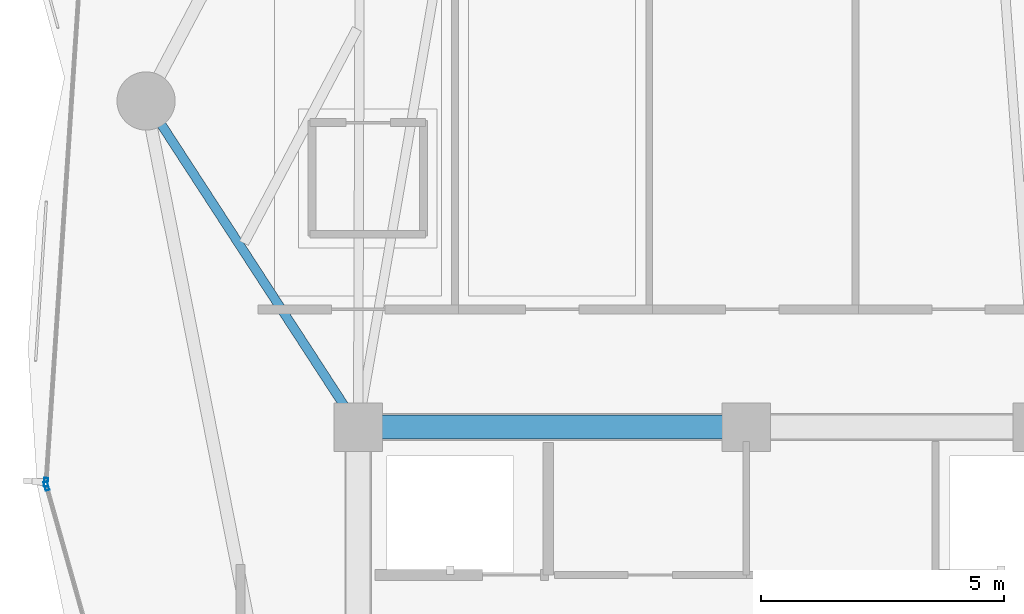
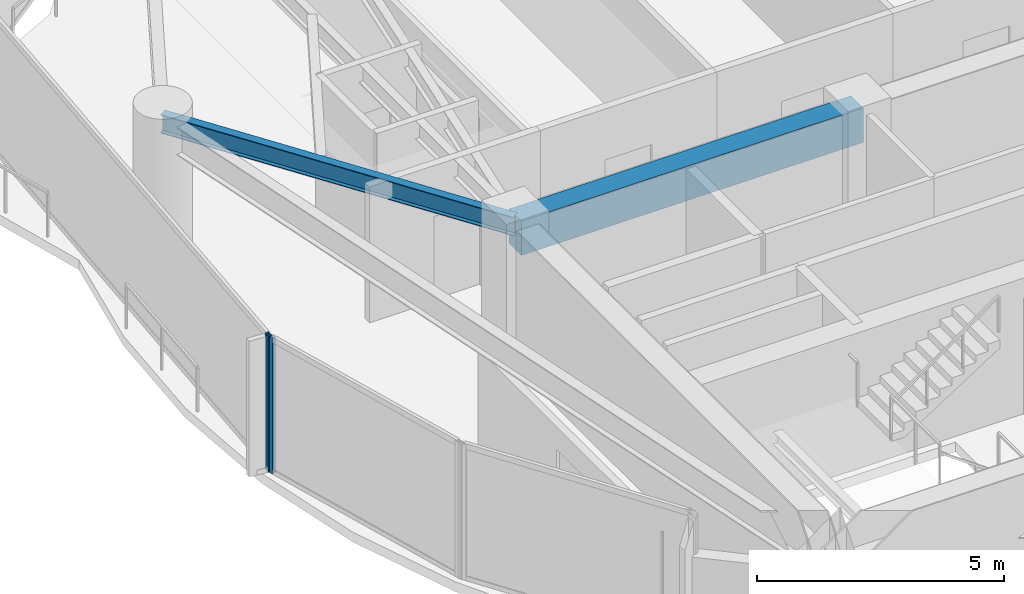
# One storey, part 7 of 30: 2 beams, 2 members, 2 elements without a shape of their own.
"""IFC4 building model written with IfcOpenShell, lengths in metres."""

from ifc_helpers import new_model, si_unit, direction, frame, origin, origin_2d, place, context, subcontext, project, spatial, rectangle, hollow_rectangle, i_section, extrude, material, layer, layer_set, material_profile, profile_set, type_object, element, aggregate, save


model = new_model("IFC4")

# Units and contexts
model_context = context("Model", 3, precision=1e-05, world=origin(), true_north=direction((0.0, 1.0)))
body_context = subcontext(model_context, "Body", "Model", "MODEL_VIEW")
ifc_project = project(units=[si_unit("LENGTHUNIT", "METRE"), si_unit("AREAUNIT", "SQUARE_METRE"), si_unit("VOLUMEUNIT", "CUBIC_METRE"), si_unit("PLANEANGLEUNIT", "RADIAN"), si_unit("MASSUNIT", "GRAM", prefix="KILO")], contexts=[model_context])

# Site, building, storey
site_placement = place(None, origin())
site = spatial("IfcSite", under=ifc_project, at=site_placement, CompositionType="ELEMENT")
building_placement = place(site_placement, origin())
building = spatial("IfcBuilding", under=site, at=building_placement, Name="Kazevale Care Tower and Concert Hall", CompositionType="ELEMENT")
storey_placement = place(building_placement, frame((0.0, 0.0, 113.39990234375)))
storey = spatial("IfcBuildingStorey", under=building, at=storey_placement, Name="L29", CompositionType="ELEMENT", Elevation=113.39990234375)

# Curtain wall, member
ifc_material_1 = material(Name="Aluminium 6063-T6 and Low-E Glass", Category="aluminium")
ifc_layer = layer(ifc_material_1, 0.179931640625)
ifc_layer_set = layer_set([ifc_layer], Name="Aluminium 6063-T6 and Low-E Glass")
curtain_wall_type = type_object("IfcCurtainWallType", Name="Waist & Upper Residential Curtain Wall CW-4", PredefinedType="NOTDEFINED", material=ifc_layer_set)
curtain_wall_1_placement = place(storey_placement, origin())
curtain_wall_1 = element("IfcCurtainWall", 1, at=curtain_wall_1_placement, inside=storey, type_object=curtain_wall_type, Name="cw:L29:f12", PredefinedType="NOTDEFINED")
ifc_material_2 = material(Name="Aluminium 6063-T6", Category="aluminium")
ifc_material_profile_1 = material_profile(ifc_material_2, hollow_rectangle(XDim=0.080078125, YDim=0.179931640625, WallThickness=0.0048828125, at=origin_2d()), Name="ALU80x180x5")
ifc_profile_set_1 = profile_set([ifc_material_profile_1], Name="Aluminium 6063-T6")
member_type = type_object("IfcMemberType", Name="CW-4 Mullion ALU80x180x5", PredefinedType="MULLION", material=ifc_profile_set_1)
member_1_placement = place(storey_placement, frame((15.576904296875, 35.18359375, 0.0), z_axis=(0.0, 0.0, 1.0), x_axis=(-0.962499078876, -0.271284948278, 0.0)))
member_1 = element("IfcMember", 2, at=member_1_placement, type_object=member_type, Name="CW-4 mullion 2", PredefinedType="MULLION", context=body_context, shape_type="SweptSolid", body=[
    extrude(hollow_rectangle(XDim=0.080078125, YDim=0.179931640625, WallThickness=0.0048828125, at=origin_2d()), origin(), (0.0, 0.0, 1.0), 3.360107421875),
])
aggregate(curtain_wall_1, [member_1])

curtain_wall_2_placement = place(storey_placement, origin())
curtain_wall_2 = element("IfcCurtainWall", 3, at=curtain_wall_2_placement, inside=storey, type_object=curtain_wall_type, Name="cw:L29:f13", PredefinedType="NOTDEFINED")
member_2_placement = place(storey_placement, frame((15.568603515625, 35.261962890625, 0.0), z_axis=(0.0, 0.0, 1.0), x_axis=(-0.997778418439, 0.06662002475, 0.0)))
member_2 = element("IfcMember", 4, at=member_2_placement, type_object=member_type, Name="CW-4 mullion 1", PredefinedType="MULLION", context=body_context, shape_type="SweptSolid", body=[
    extrude(hollow_rectangle(XDim=0.080078125, YDim=0.179931640625, WallThickness=0.0048828125, at=origin_2d()), origin(), (0.0, 0.0, 1.0), 3.360107421875),
])
aggregate(curtain_wall_2, [member_2])

# Beams
ifc_material_3 = material(Name="Concrete C60", Category="concrete")
ifc_material_profile_2 = material_profile(ifc_material_3, rectangle(XDim=0.5, YDim=0.85009765625, at=origin_2d()), Name="RC-B500x850")
ifc_profile_set_2 = profile_set([ifc_material_profile_2], Name="Concrete C60")
beam_type_1 = type_object("IfcBeamType", Name="Core Coupling Beam RC500x850", PredefinedType="LINTEL", material=ifc_profile_set_2)
beam_1_placement = place(storey_placement, frame((30.0, 36.39990234375, 2.93505859375), z_axis=(-1.0, 0.0, 0.0), x_axis=(0.0, -1.0, 0.0)))
element("IfcBeam", 5, at=beam_1_placement, inside=storey, type_object=beam_type_1, Name="beam:L29:coretie:7", PredefinedType="LINTEL", context=body_context, shape_type="SweptSolid", body=[
    extrude(rectangle(XDim=0.5, YDim=0.85009765625, at=origin_2d()), origin(), (0.0, 0.0, 1.0), 8.0),
])
ifc_material_4 = material(Name="Steel ASTM A572 Gr 50", Category="steel")
ifc_material_profile_3 = material_profile(ifc_material_4, i_section(OverallWidth=0.19091796875, OverallDepth=0.4599609375, WebThickness=0.010009765625, FlangeThickness=0.01611328125, at=origin_2d()), Name="W460x82")
ifc_profile_set_3 = profile_set([ifc_material_profile_3], Name="Steel ASTM A572 Gr 50")
beam_type_2 = type_object("IfcBeamType", Name="Radial Floor Beam W460x82", PredefinedType="BEAM", material=ifc_profile_set_3)
beam_2_placement = place(storey_placement, frame((22.0, 36.39990234375, 3.130126953125), z_axis=(-0.5451617613, 0.83833087383, 0.0), x_axis=(-0.83833087383, -0.5451617613, 0.0)))
element("IfcBeam", 6, at=beam_2_placement, inside=storey, type_object=beam_type_2, Name="beam:L29:rad:09", PredefinedType="BEAM", context=body_context, shape_type="SweptSolid", body=[
    extrude(i_section(OverallWidth=0.19091796875, OverallDepth=0.4599609375, WebThickness=0.010009765625, FlangeThickness=0.01611328125, at=origin_2d()), origin(), (0.0, 0.0, 1.0), 8.01611328125),
])

save(model, "model.ifc")
